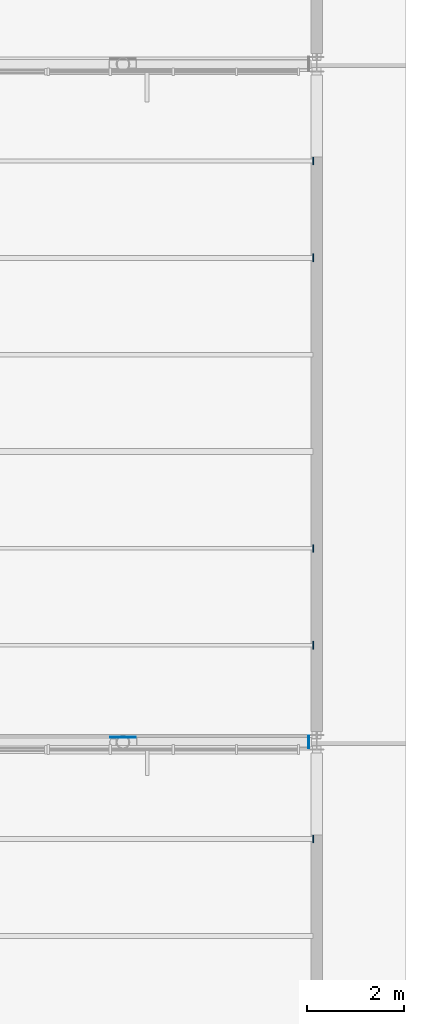
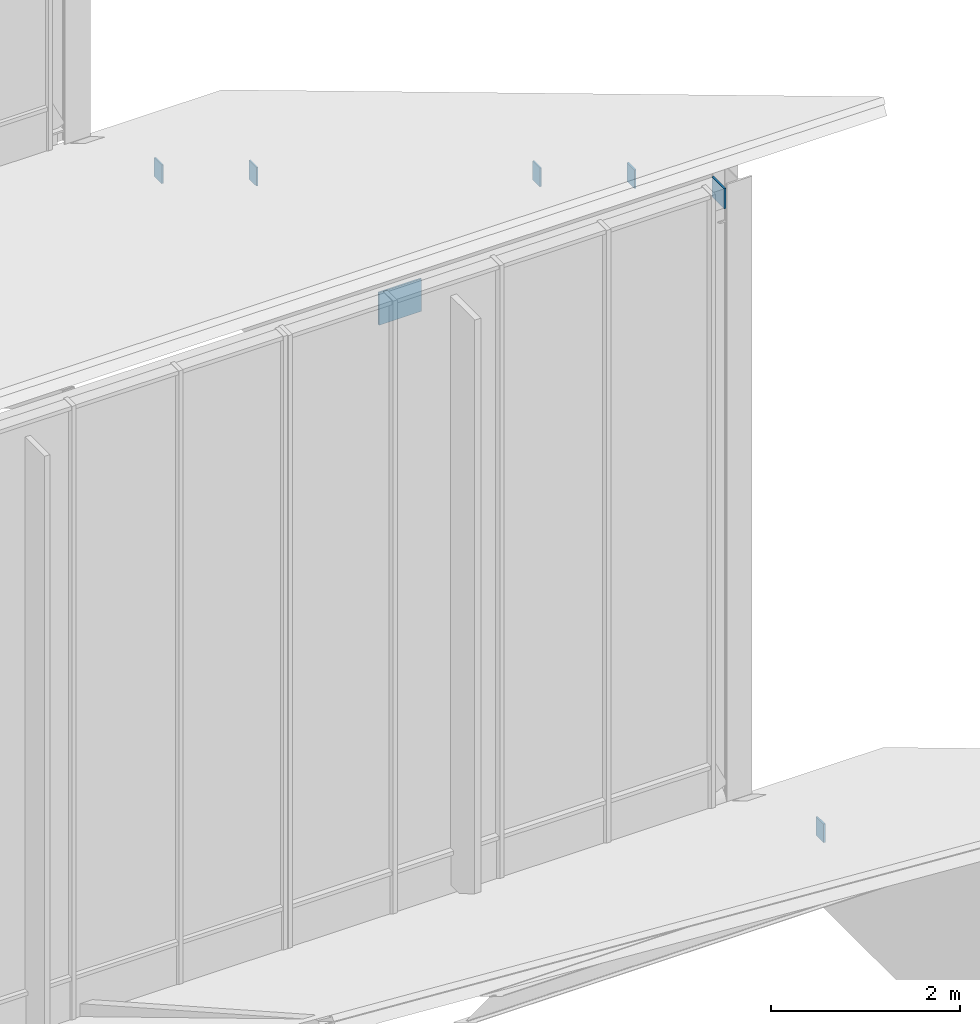
# One storey, part 101 of 155: 7 plates.
"""IFC4 building model written with IfcOpenShell, lengths in metres."""

from ifc_helpers import new_model, si_unit, direction, frame, origin, origin_2d, place, context, subcontext, project, spatial, rectangle, extrude, material, layer, layer_set, type_object, element, save


model = new_model("IFC4")

# Units and contexts
model_context = context("Model", 3, precision=1e-05, world=origin(), true_north=direction((0.0, 1.0)))
body_context = subcontext(model_context, "Body", "Model", "MODEL_VIEW")
ifc_project = project(units=[si_unit("LENGTHUNIT", "METRE"), si_unit("AREAUNIT", "SQUARE_METRE"), si_unit("VOLUMEUNIT", "CUBIC_METRE"), si_unit("PLANEANGLEUNIT", "RADIAN"), si_unit("MASSUNIT", "GRAM", prefix="KILO")], contexts=[model_context])

# Site, building, storey
site_placement = place(None, origin())
site = spatial("IfcSite", under=ifc_project, at=site_placement, CompositionType="ELEMENT")
building_placement = place(site_placement, origin())
building = spatial("IfcBuilding", under=site, at=building_placement, Name="Larkveld Mobility Hub", CompositionType="ELEMENT")
storey_placement = place(building_placement, frame((0.0, 0.0, 8.39990234375)))
storey = spatial("IfcBuildingStorey", under=building, at=storey_placement, Name="L02", CompositionType="ELEMENT", Elevation=8.39990234375)

# Plates
ifc_material = material(Name="Steel S355JR", Category="steel")
ifc_layer_1 = layer(ifc_material, 0.02001953125, Name="Steel S355JR", Category="steel")
ifc_layer_set_1 = layer_set([ifc_layer_1], Name="Steel S355JR")
plate_type_1 = type_object("IfcPlateType", Name="PT-EC02", PredefinedType="USERDEFINED", material=ifc_layer_set_1)
plate_1_placement = place(storey_placement, frame((183.840087890625, 98.0, 7.8203125), z_axis=(0.0, 0.0, 1.0), x_axis=(1.0, 0.0, 0.0)))
element("IfcPlate", 1, at=plate_1_placement, inside=storey, type_object=plate_type_1, Name="Hollow Chord End Cap Plate EC-054", ObjectType="GUSSET PLATE", PredefinedType="USERDEFINED", context=body_context, shape_type="SweptSolid", body=[
    extrude(rectangle(XDim=0.02001953125, YDim=0.260009765625, at=origin_2d()), origin(), (0.0, 0.0, 1.0), 0.260009765625),
])
for number, where, z_axis, x_axis, name in (
    (2, (183.927978515625, 96.0, 0.787109375), (0.0, 0.0, 1.0), (1.0, 0.0, 0.0), "Hollow Purlin End Cap Plate PEC-207"),
    (3, (183.927978515625, 100.0, 6.80712890625), (0.0, 0.0, 1.0), (1.0, 0.0, 0.0), "Hollow Purlin End Cap Plate PEC-215"),
    (4, (183.927978515625, 102.0, 5.6171875), (0.0, 0.0, 1.0), (1.0, 0.0, 0.0), "Hollow Purlin End Cap Plate PEC-223"),
    (5, (183.927978515625, 108.0, 1.9873046875), (0.0, 0.0, 1.0), (1.0, 0.0, 0.0), "Hollow Purlin End Cap Plate PEC-231"),
    (6, (183.927978515625, 110.0, 0.80712890625), (0.0, 0.0, 1.0), (1.0, 0.0, 0.0), "Hollow Purlin End Cap Plate PEC-239"),
):
    element("IfcPlate", number, at=place(storey_placement, frame(where, z_axis=z_axis, x_axis=x_axis)), inside=storey, type_object=plate_type_1, Name=name, ObjectType="GUSSET PLATE", PredefinedType="USERDEFINED", context=body_context, shape_type="SweptSolid", body=[
        extrude(rectangle(XDim=0.02001953125, YDim=0.159912109375, at=origin_2d()), origin(), (0.0, 0.0, 1.0), 0.239990234375),
    ])
ifc_layer_2 = layer(ifc_material, 0.02001953125, Name="Steel S355JR", Category="steel")
ifc_layer_set_2 = layer_set([ifc_layer_2], Name="Steel S355JR")
plate_type_2 = type_object("IfcPlateType", Name="PT-GS01", PredefinedType="USERDEFINED", material=ifc_layer_set_2)
plate_2_placement = place(storey_placement, frame((180.0, 98.10009765625, 7.615234375), z_axis=(0.0, 0.0, 1.0), x_axis=(1.0, 0.0, 0.0)))
element("IfcPlate", 7, at=plate_2_placement, inside=storey, type_object=plate_type_2, Name="Truss Node Gusset Plate TN-052", ObjectType="GUSSET PLATE", PredefinedType="USERDEFINED", context=body_context, shape_type="SweptSolid", body=[
    extrude(rectangle(XDim=0.52001953125, YDim=0.02001953125, at=origin_2d()), origin(), (0.0, 0.0, 1.0), 0.419921875),
])

save(model, "model.ifc")
